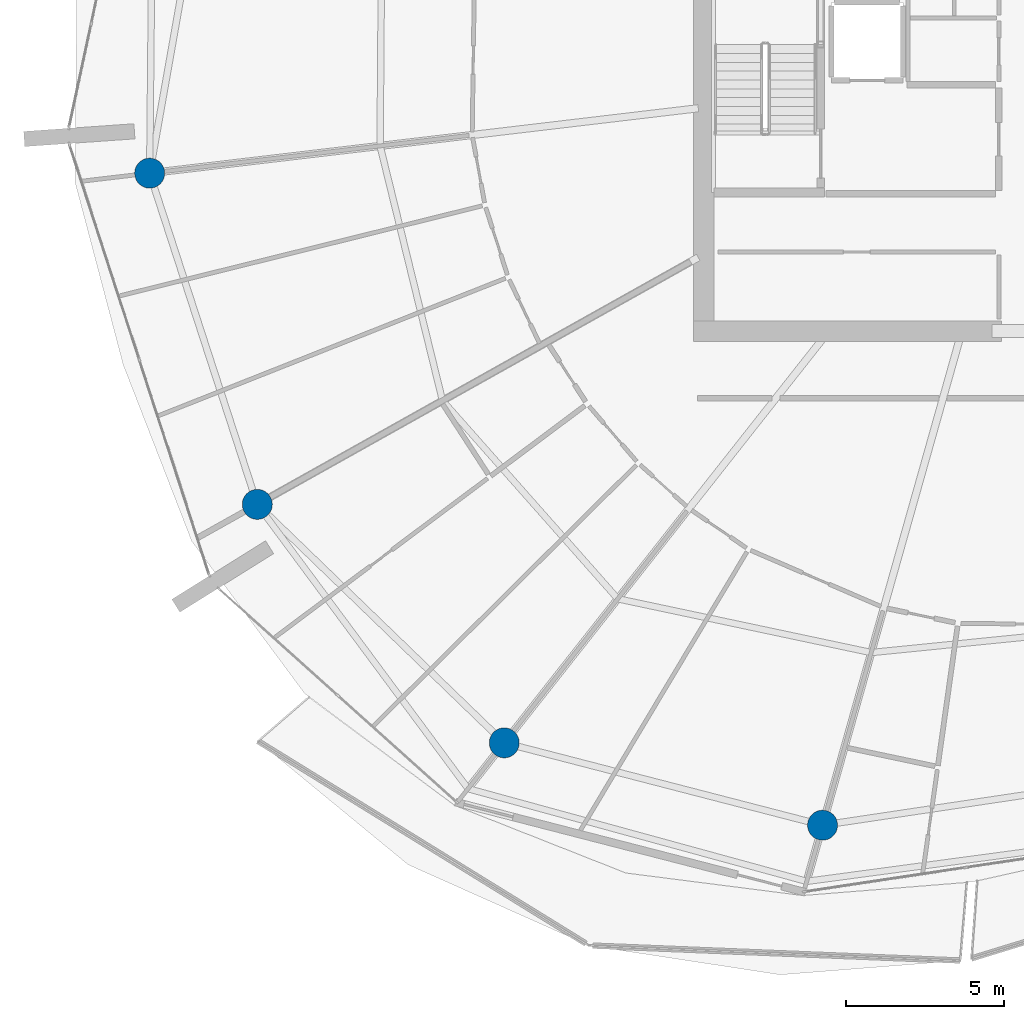
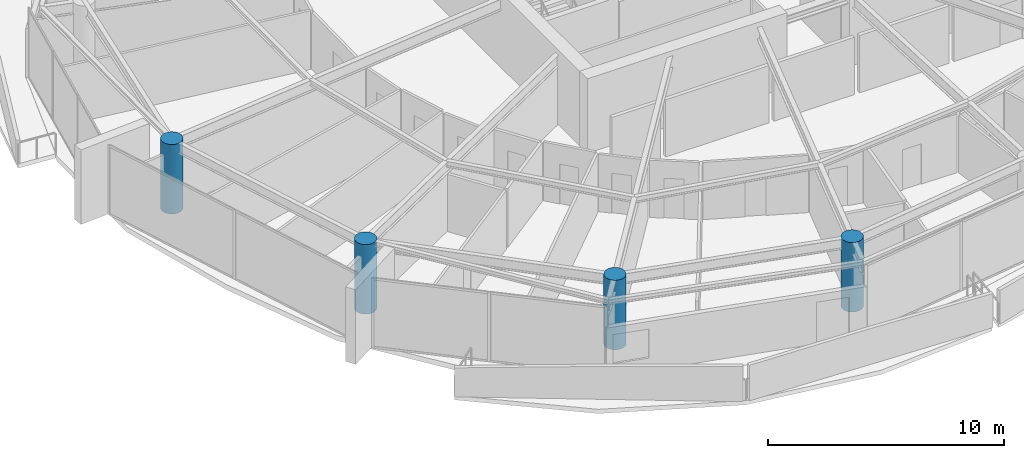
# One storey, part 1 of 31: 4 columns.
"""IFC4 building model written with IfcOpenShell, lengths in metres."""

from ifc_helpers import new_model, si_unit, direction, frame, origin, origin_2d, place, context, subcontext, project, spatial, circle, extrude, material, material_profile, profile_set, type_object, element, save


model = new_model("IFC4")

# Units and contexts
model_context = context("Model", 3, precision=1e-05, world=origin(), true_north=direction((0.0, 1.0)))
body_context = subcontext(model_context, "Body", "Model", "MODEL_VIEW")
ifc_project = project(units=[si_unit("LENGTHUNIT", "METRE"), si_unit("AREAUNIT", "SQUARE_METRE"), si_unit("VOLUMEUNIT", "CUBIC_METRE"), si_unit("PLANEANGLEUNIT", "RADIAN"), si_unit("MASSUNIT", "GRAM", prefix="KILO")], contexts=[model_context])

# Site, building, storey
site_placement = place(None, origin())
site = spatial("IfcSite", under=ifc_project, at=site_placement, CompositionType="ELEMENT")
building_placement = place(site_placement, origin())
building = spatial("IfcBuilding", under=site, at=building_placement, Name="Kazma Halo Residences", CompositionType="ELEMENT")
storey_placement = place(building_placement, frame((0.0, 0.0, 240.550048828125)))
storey = spatial("IfcBuildingStorey", under=building, at=storey_placement, Name="L60", CompositionType="ELEMENT", Elevation=240.550048828125)

# Columns
ifc_material = material(Name="Concrete C60/75", Category="concrete")
ifc_material_profile = material_profile(ifc_material, circle(Radius=0.47509765625, at=origin_2d()), Name="CIRC950")
ifc_profile_set = profile_set([ifc_material_profile], Name="Concrete C60/75")
column_type = type_object("IfcColumnType", Name="COL-PERIM-950", PredefinedType="COLUMN", material=ifc_profile_set)
for number, where, z_axis, x_axis, name in (
    (1, (19.92041015625, 38.676513671875, 0.0), (0.0, 0.0, 1.0), (1.0, 0.0, 0.0), "L60 perimeter ring column P08"),
    (2, (23.32958984375, 28.18408203125, 0.0), (0.0, 0.0, 1.0), (1.0, 0.0, 0.0), "L60 perimeter ring column P09"),
    (3, (31.15283203125, 20.62939453125, 0.0), (0.0, 0.0, 1.0), (1.0, 0.0, 0.0), "L60 perimeter ring column P10"),
    (4, (41.237060546875, 18.0205078125, 0.0), (0.0, 0.0, 1.0), (1.0, 0.0, 0.0), "L60 perimeter ring column P11"),
):
    element("IfcColumn", number, at=place(storey_placement, frame(where, z_axis=z_axis, x_axis=x_axis)), inside=storey, type_object=column_type, Name=name, PredefinedType="COLUMN", context=body_context, shape_type="SweptSolid", body=[
        extrude(circle(Radius=0.47509765625, at=origin_2d()), origin(), (0.0, 0.0, 1.0), 3.58984375),
    ])

save(model, "model.ifc")
